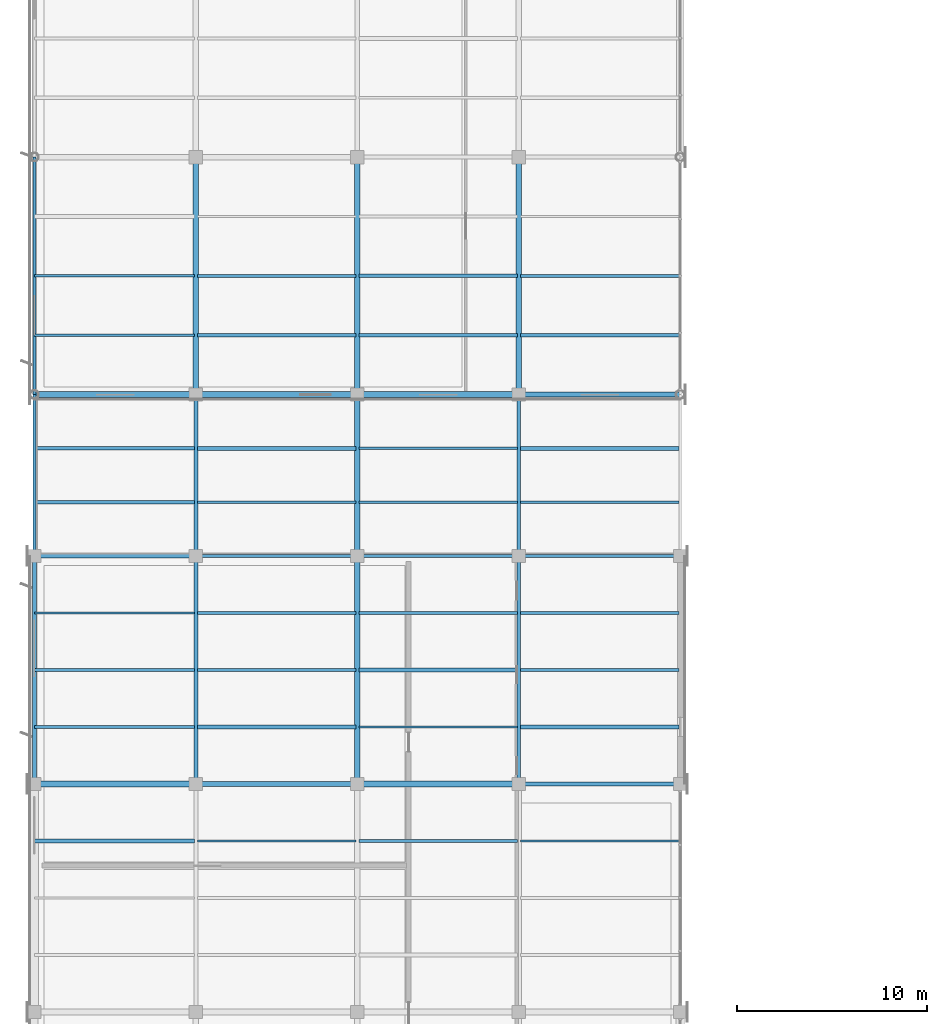
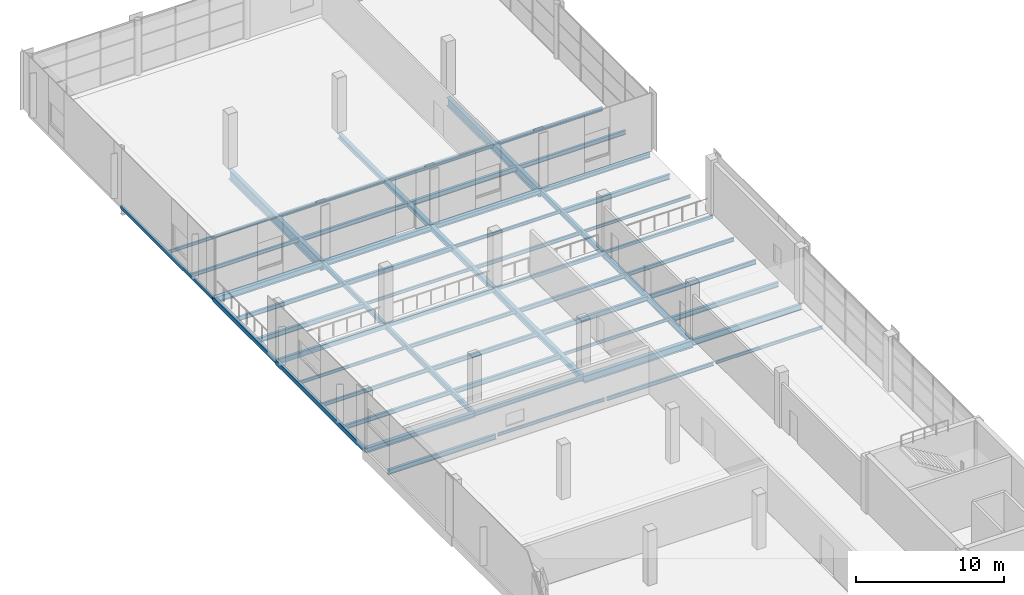
# One storey, part 35 of 101: 56 beams.
"""IFC4 building model written with IfcOpenShell, lengths in metres."""

from ifc_helpers import new_model, si_unit, direction, frame, origin, origin_2d, place, context, subcontext, project, spatial, hollow_rectangle, i_section, extrude, material, material_profile, profile_set, type_object, element, save


model = new_model("IFC4")

# Units and contexts
model_context = context("Model", 3, precision=1e-05, world=origin(), true_north=direction((0.0, 1.0)))
body_context = subcontext(model_context, "Body", "Model", "MODEL_VIEW")
ifc_project = project(units=[si_unit("LENGTHUNIT", "METRE"), si_unit("AREAUNIT", "SQUARE_METRE"), si_unit("VOLUMEUNIT", "CUBIC_METRE"), si_unit("PLANEANGLEUNIT", "RADIAN"), si_unit("MASSUNIT", "GRAM", prefix="KILO")], contexts=[model_context])

# Site, building, storey
site_placement = place(None, origin())
site = spatial("IfcSite", under=ifc_project, at=site_placement, CompositionType="ELEMENT")
building_placement = place(site_placement, origin())
building = spatial("IfcBuilding", under=site, at=building_placement, Name="Solvikara Media Centre", CompositionType="ELEMENT")
storey_placement = place(building_placement, frame((0.0, 0.0, 10.199951171875)))
storey = spatial("IfcBuildingStorey", under=building, at=storey_placement, Name="L02", CompositionType="ELEMENT", Elevation=10.199951171875)

# Beams
ifc_material = material(Name="Steel S355JR", Category="steel")
ifc_material_profile_1 = material_profile(ifc_material, i_section(OverallWidth=0.300048828125, OverallDepth=0.800048828125, WebThickness=0.013916015625, FlangeThickness=0.02587890625, at=origin_2d()), Name="WF 800x300x14x26")
ifc_profile_set_1 = profile_set([ifc_material_profile_1], Name="Steel S355JR")
beam_type_1 = type_object("IfcBeamType", Name="BM-16", PredefinedType="BEAM", material=ifc_profile_set_1)
beam_1_placement = place(storey_placement, frame((8.5, 89.0, -0.661865234375), z_axis=(0.0, 1.0, 0.0), x_axis=(-1.0, 0.0, 0.0)))
element("IfcBeam", 1, at=beam_1_placement, inside=storey, type_object=beam_type_1, Name="B-L02-Y0925", PredefinedType="BEAM", context=body_context, shape_type="SweptSolid", body=[
    extrude(i_section(OverallWidth=0.300048828125, OverallDepth=0.800048828125, WebThickness=0.013916015625, FlangeThickness=0.02587890625, at=origin_2d()), origin(), (0.0, 0.0, 1.0), 12.5),
])
ifc_material_profile_2 = material_profile(ifc_material, i_section(OverallWidth=0.199951171875, OverallDepth=0.5, WebThickness=0.010009765625, FlangeThickness=0.01611328125, at=origin_2d()), Name="WF 500x200x10x16")
ifc_profile_set_2 = profile_set([ifc_material_profile_2], Name="Steel S355JR")
beam_type_2 = type_object("IfcBeamType", Name="BM-19", PredefinedType="BEAM", material=ifc_profile_set_2)
beam_2_placement = place(storey_placement, frame((25.5, 68.5, -0.511962890625), z_axis=(0.0, 1.0, 0.0), x_axis=(-1.0, 0.0, 0.0)))
element("IfcBeam", 2, at=beam_2_placement, inside=storey, type_object=beam_type_2, Name="B-L02-Y0941", PredefinedType="BEAM", context=body_context, shape_type="SweptSolid", body=[
    extrude(i_section(OverallWidth=0.199951171875, OverallDepth=0.5, WebThickness=0.010009765625, FlangeThickness=0.01611328125, at=origin_2d()), origin(), (0.0, 0.0, 1.0), 12.0),
])
ifc_material_profile_3 = material_profile(ifc_material, i_section(OverallWidth=0.199951171875, OverallDepth=0.449951171875, WebThickness=0.009033203125, FlangeThickness=0.013916015625, at=origin_2d()), Name="WF 450x200x9x14")
ifc_profile_set_3 = profile_set([ifc_material_profile_3], Name="Steel S355JR")
beam_type_3 = type_object("IfcBeamType", Name="BM-20", PredefinedType="BEAM", material=ifc_profile_set_3)
beam_3_placement = place(storey_placement, frame((25.5, 80.5, -0.4970703125), z_axis=(0.0, 1.0, 0.0), x_axis=(-1.0, 0.0, 0.0)))
element("IfcBeam", 3, at=beam_3_placement, inside=storey, type_object=beam_type_3, Name="B-L02-Y0942", PredefinedType="BEAM", context=body_context, shape_type="SweptSolid", body=[
    extrude(i_section(OverallWidth=0.199951171875, OverallDepth=0.449951171875, WebThickness=0.009033203125, FlangeThickness=0.013916015625, at=origin_2d()), origin(), (0.0, 0.0, 1.0), 8.5),
])
ifc_material_profile_4 = material_profile(ifc_material, i_section(OverallWidth=0.199951171875, OverallDepth=0.39990234375, WebThickness=0.008056640625, FlangeThickness=0.012939453125, at=origin_2d()), Name="WF 400x200x8x13")
ifc_profile_set_4 = profile_set([ifc_material_profile_4], Name="Steel S355JR")
beam_type_4 = type_object("IfcBeamType", Name="BM-21", PredefinedType="JOIST", material=ifc_profile_set_4)
beam_4_placement = place(storey_placement, frame((0.0, 65.5, -0.4619140625), z_axis=(1.0, 0.0, 0.0), x_axis=(0.0, 1.0, 0.0)))
element("IfcBeam", 4, at=beam_4_placement, inside=storey, type_object=beam_type_4, Name="J-L02-1017", PredefinedType="JOIST", context=body_context, shape_type="SweptSolid", body=[
    extrude(i_section(OverallWidth=0.199951171875, OverallDepth=0.39990234375, WebThickness=0.008056640625, FlangeThickness=0.012939453125, at=origin_2d()), origin(), (0.0, 0.0, 1.0), 8.422119140625),
])
for number, where, z_axis, x_axis, name in (
    (5, (8.577880859375, 71.5, -0.4619140625), (1.0, 0.0, 0.0), (0.0, 1.0, 0.0), "J-L02-1041"),
    (6, (17.077880859375, 74.5, -0.4619140625), (1.0, 0.0, 0.0), (0.0, 1.0, 0.0), "J-L02-1065"),
    (7, (25.577880859375, 86.1669921875, -0.471923828125), (1.0, 0.0, 0.0), (0.0, 1.0, 0.0), "J-L02-1089"),
):
    element("IfcBeam", number, at=place(storey_placement, frame(where, z_axis=z_axis, x_axis=x_axis)), inside=storey, type_object=beam_type_4, Name=name, PredefinedType="JOIST", context=body_context, shape_type="SweptSolid", body=[
        extrude(i_section(OverallWidth=0.199951171875, OverallDepth=0.39990234375, WebThickness=0.008056640625, FlangeThickness=0.012939453125, at=origin_2d()), origin(), (0.0, 0.0, 1.0), 8.34423828125),
    ])
ifc_material_profile_5 = material_profile(ifc_material, i_section(OverallWidth=0.175048828125, OverallDepth=0.35009765625, WebThickness=0.007080078125, FlangeThickness=0.010986328125, at=origin_2d()), Name="WF 350x175x7x11")
ifc_profile_set_5 = profile_set([ifc_material_profile_5], Name="Steel S355JR")
beam_type_5 = type_object("IfcBeamType", Name="BM-22", PredefinedType="JOIST", material=ifc_profile_set_5)
beam_5_placement = place(storey_placement, frame((0.0, 71.5, -0.43701171875), z_axis=(1.0, 0.0, 0.0), x_axis=(0.0, 1.0, 0.0)))
element("IfcBeam", 8, at=beam_5_placement, inside=storey, type_object=beam_type_5, Name="J-L02-1018", PredefinedType="JOIST", context=body_context, shape_type="SweptSolid", body=[
    extrude(i_section(OverallWidth=0.175048828125, OverallDepth=0.35009765625, WebThickness=0.007080078125, FlangeThickness=0.010986328125, at=origin_2d()), origin(), (0.0, 0.0, 1.0), 8.422119140625),
])
for number, where, z_axis, x_axis, name in (
    (9, (8.577880859375, 74.5, -0.43701171875), (1.0, 0.0, 0.0), (0.0, 1.0, 0.0), "J-L02-1042"),
    (10, (17.077880859375, 77.5, -0.43701171875), (1.0, 0.0, 0.0), (0.0, 1.0, 0.0), "J-L02-1066"),
    (11, (25.577880859375, 92.125, -0.43701171875), (1.0, 0.0, 0.0), (0.0, 1.0, 0.0), "J-L02-1090"),
):
    element("IfcBeam", number, at=place(storey_placement, frame(where, z_axis=z_axis, x_axis=x_axis)), inside=storey, type_object=beam_type_5, Name=name, PredefinedType="JOIST", context=body_context, shape_type="SweptSolid", body=[
        extrude(i_section(OverallWidth=0.175048828125, OverallDepth=0.35009765625, WebThickness=0.007080078125, FlangeThickness=0.010986328125, at=origin_2d()), origin(), (0.0, 0.0, 1.0), 8.34423828125),
    ])
ifc_material_profile_6 = material_profile(ifc_material, i_section(OverallWidth=0.14990234375, OverallDepth=0.300048828125, WebThickness=0.006591796875, FlangeThickness=0.009033203125, at=origin_2d()), Name="WF 300x150x6.5x9")
ifc_profile_set_6 = profile_set([ifc_material_profile_6], Name="Steel S355JR")
beam_type_6 = type_object("IfcBeamType", Name="BM-23", PredefinedType="JOIST", material=ifc_profile_set_6)
beam_6_placement = place(storey_placement, frame((0.0, 74.5, -0.411865234375), z_axis=(1.0, 0.0, 0.0), x_axis=(0.0, 1.0, 0.0)))
element("IfcBeam", 12, at=beam_6_placement, inside=storey, type_object=beam_type_6, Name="J-L02-1019", PredefinedType="JOIST", context=body_context, shape_type="SweptSolid", body=[
    extrude(i_section(OverallWidth=0.14990234375, OverallDepth=0.300048828125, WebThickness=0.006591796875, FlangeThickness=0.009033203125, at=origin_2d()), origin(), (0.0, 0.0, 1.0), 8.422119140625),
])
for number, where, z_axis, x_axis, name in (
    (13, (8.577880859375, 77.5, -0.411865234375), (1.0, 0.0, 0.0), (0.0, 1.0, 0.0), "J-L02-1043"),
    (14, (17.077880859375, 83.3330078125, -0.421875), (1.0, 0.0, 0.0), (0.0, 1.0, 0.0), "J-L02-1067"),
    (15, (25.577880859375, 95.25, -0.411865234375), (1.0, 0.0, 0.0), (0.0, 1.0, 0.0), "J-L02-1091"),
):
    element("IfcBeam", number, at=place(storey_placement, frame(where, z_axis=z_axis, x_axis=x_axis)), inside=storey, type_object=beam_type_6, Name=name, PredefinedType="JOIST", context=body_context, shape_type="SweptSolid", body=[
        extrude(i_section(OverallWidth=0.14990234375, OverallDepth=0.300048828125, WebThickness=0.006591796875, FlangeThickness=0.009033203125, at=origin_2d()), origin(), (0.0, 0.0, 1.0), 8.34423828125),
    ])
ifc_material_profile_7 = material_profile(ifc_material, i_section(OverallWidth=0.125, OverallDepth=0.25, WebThickness=0.006103515625, FlangeThickness=0.009033203125, at=origin_2d()), Name="WF 250x125x6x9")
ifc_profile_set_7 = profile_set([ifc_material_profile_7], Name="Steel S355JR")
beam_type_7 = type_object("IfcBeamType", Name="BM-24", PredefinedType="JOIST", material=ifc_profile_set_7)
beam_7_placement = place(storey_placement, frame((0.0, 77.5, -0.386962890625), z_axis=(1.0, 0.0, 0.0), x_axis=(0.0, 1.0, 0.0)))
element("IfcBeam", 16, at=beam_7_placement, inside=storey, type_object=beam_type_7, Name="J-L02-1020", PredefinedType="JOIST", context=body_context, shape_type="SweptSolid", body=[
    extrude(i_section(OverallWidth=0.125, OverallDepth=0.25, WebThickness=0.006103515625, FlangeThickness=0.009033203125, at=origin_2d()), origin(), (0.0, 0.0, 1.0), 8.422119140625),
])
for number, where, z_axis, x_axis, name in (
    (17, (8.577880859375, 83.3330078125, -0.39697265625), (1.0, 0.0, 0.0), (0.0, 1.0, 0.0), "J-L02-1044"),
    (18, (17.077880859375, 86.1669921875, -0.39697265625), (1.0, 0.0, 0.0), (0.0, 1.0, 0.0), "J-L02-1068"),
    (19, (25.577880859375, 65.5, -0.386962890625), (1.0, 0.0, 0.0), (0.0, 1.0, 0.0), "J-L02-1084"),
):
    element("IfcBeam", number, at=place(storey_placement, frame(where, z_axis=z_axis, x_axis=x_axis)), inside=storey, type_object=beam_type_7, Name=name, PredefinedType="JOIST", context=body_context, shape_type="SweptSolid", body=[
        extrude(i_section(OverallWidth=0.125, OverallDepth=0.25, WebThickness=0.006103515625, FlangeThickness=0.009033203125, at=origin_2d()), origin(), (0.0, 0.0, 1.0), 8.34423828125),
    ])
ifc_material_profile_8 = material_profile(ifc_material, i_section(OverallWidth=0.300048828125, OverallDepth=0.69189453125, WebThickness=0.012939453125, FlangeThickness=0.02001953125, at=origin_2d()), Name="H 692x300x13x20")
ifc_profile_set_8 = profile_set([ifc_material_profile_8], Name="Steel S355JR")
beam_type_8 = type_object("IfcBeamType", Name="BM-25", PredefinedType="BEAM", material=ifc_profile_set_8)
beam_8_placement = place(storey_placement, frame((25.5, 89.0, -0.60791015625), z_axis=(0.0, 1.0, 0.0), x_axis=(-1.0, 0.0, 0.0)))
element("IfcBeam", 20, at=beam_8_placement, inside=storey, type_object=beam_type_8, Name="B-L02-Y0943", PredefinedType="BEAM", context=body_context, shape_type="SweptSolid", body=[
    extrude(i_section(OverallWidth=0.300048828125, OverallDepth=0.69189453125, WebThickness=0.012939453125, FlangeThickness=0.02001953125, at=origin_2d()), origin(), (0.0, 0.0, 1.0), 12.5),
])
ifc_material_profile_9 = material_profile(ifc_material, i_section(OverallWidth=0.300048828125, OverallDepth=0.488037109375, WebThickness=0.010986328125, FlangeThickness=0.01806640625, at=origin_2d()), Name="H 488x300x11x18")
ifc_profile_set_9 = profile_set([ifc_material_profile_9], Name="Steel S355JR")
beam_type_9 = type_object("IfcBeamType", Name="BM-27", PredefinedType="BEAM", material=ifc_profile_set_9)
beam_9_placement = place(storey_placement, frame((0.0, 89.0, -0.515869140625), z_axis=(1.0, 0.0, 0.0), x_axis=(0.0, 1.0, 0.0)))
element("IfcBeam", 21, at=beam_9_placement, inside=storey, type_object=beam_type_9, Name="B-L02-X0889", PredefinedType="BEAM", context=body_context, shape_type="SweptSolid", body=[
    extrude(i_section(OverallWidth=0.300048828125, OverallDepth=0.488037109375, WebThickness=0.010986328125, FlangeThickness=0.01806640625, at=origin_2d()), origin(), (0.0, 0.0, 1.0), 8.5),
])
beam_10_placement = place(storey_placement, frame((17.0, 68.5, -0.505859375), z_axis=(0.0, 1.0, 0.0), x_axis=(-1.0, 0.0, 0.0)))
element("IfcBeam", 22, at=beam_10_placement, inside=storey, type_object=beam_type_9, Name="B-L02-Y0931", PredefinedType="BEAM", context=body_context, shape_type="SweptSolid", body=[
    extrude(i_section(OverallWidth=0.300048828125, OverallDepth=0.488037109375, WebThickness=0.010986328125, FlangeThickness=0.01806640625, at=origin_2d()), origin(), (0.0, 0.0, 1.0), 12.0),
])
ifc_material_profile_10 = material_profile(ifc_material, i_section(OverallWidth=0.300048828125, OverallDepth=0.43994140625, WebThickness=0.010986328125, FlangeThickness=0.01806640625, at=origin_2d()), Name="H 440x300x11x18")
ifc_profile_set_10 = profile_set([ifc_material_profile_10], Name="Steel S355JR")
beam_type_10 = type_object("IfcBeamType", Name="BM-28", PredefinedType="BEAM", material=ifc_profile_set_10)
for number, where, z_axis, x_axis, name in (
    (23, (8.5, 89.0, -0.491943359375), (1.0, 0.0, 0.0), (0.0, 1.0, 0.0), "B-L02-X0890"),
    (24, (17.0, 80.5, -0.491943359375), (0.0, 1.0, 0.0), (-1.0, 0.0, 0.0), "B-L02-Y0932"),
):
    element("IfcBeam", number, at=place(storey_placement, frame(where, z_axis=z_axis, x_axis=x_axis)), inside=storey, type_object=beam_type_10, Name=name, PredefinedType="BEAM", context=body_context, shape_type="SweptSolid", body=[
        extrude(i_section(OverallWidth=0.300048828125, OverallDepth=0.43994140625, WebThickness=0.010986328125, FlangeThickness=0.01806640625, at=origin_2d()), origin(), (0.0, 0.0, 1.0), 8.5),
    ])
ifc_material_profile_11 = material_profile(ifc_material, i_section(OverallWidth=0.300048828125, OverallDepth=0.389892578125, WebThickness=0.010009765625, FlangeThickness=0.01611328125, at=origin_2d()), Name="H 390x300x10x16")
ifc_profile_set_11 = profile_set([ifc_material_profile_11], Name="Steel S355JR")
beam_type_11 = type_object("IfcBeamType", Name="BM-29", PredefinedType="BEAM", material=ifc_profile_set_11)
for number, where, z_axis, x_axis, name in (
    (25, (0.0, 68.5, -0.45703125), (1.0, 0.0, 0.0), (0.0, 1.0, 0.0), "B-L02-X0877"),
    (26, (17.0, 89.0, -0.467041015625), (1.0, 0.0, 0.0), (0.0, 1.0, 0.0), "B-L02-X0891"),
):
    element("IfcBeam", number, at=place(storey_placement, frame(where, z_axis=z_axis, x_axis=x_axis)), inside=storey, type_object=beam_type_11, Name=name, PredefinedType="BEAM", context=body_context, shape_type="SweptSolid", body=[
        extrude(i_section(OverallWidth=0.300048828125, OverallDepth=0.389892578125, WebThickness=0.010009765625, FlangeThickness=0.01611328125, at=origin_2d()), origin(), (0.0, 0.0, 1.0), 8.5),
    ])
beam_11_placement = place(storey_placement, frame((17.0, 89.0, -0.45703125), z_axis=(0.0, 1.0, 0.0), x_axis=(-1.0, 0.0, 0.0)))
element("IfcBeam", 27, at=beam_11_placement, inside=storey, type_object=beam_type_11, Name="B-L02-Y0933", PredefinedType="BEAM", context=body_context, shape_type="SweptSolid", body=[
    extrude(i_section(OverallWidth=0.300048828125, OverallDepth=0.389892578125, WebThickness=0.010009765625, FlangeThickness=0.01611328125, at=origin_2d()), origin(), (0.0, 0.0, 1.0), 12.5),
])
ifc_material_profile_12 = material_profile(ifc_material, i_section(OverallWidth=0.25, OverallDepth=0.340087890625, WebThickness=0.009033203125, FlangeThickness=0.013916015625, at=origin_2d()), Name="H 340x250x9x14")
ifc_profile_set_12 = profile_set([ifc_material_profile_12], Name="Steel S355JR")
beam_type_12 = type_object("IfcBeamType", Name="BM-30", PredefinedType="BEAM", material=ifc_profile_set_12)
for number, where, z_axis, x_axis, name in (
    (28, (8.5, 68.5, -0.431884765625), (1.0, 0.0, 0.0), (0.0, 1.0, 0.0), "B-L02-X0878"),
    (29, (25.5, 89.0, -0.44189453125), (1.0, 0.0, 0.0), (0.0, 1.0, 0.0), "B-L02-X0892"),
):
    element("IfcBeam", number, at=place(storey_placement, frame(where, z_axis=z_axis, x_axis=x_axis)), inside=storey, type_object=beam_type_12, Name=name, PredefinedType="BEAM", context=body_context, shape_type="SweptSolid", body=[
        extrude(i_section(OverallWidth=0.25, OverallDepth=0.340087890625, WebThickness=0.009033203125, FlangeThickness=0.013916015625, at=origin_2d()), origin(), (0.0, 0.0, 1.0), 8.5),
    ])
ifc_material_profile_13 = material_profile(ifc_material, hollow_rectangle(XDim=0.199951171875, YDim=0.39990234375, WallThickness=0.011962890625, at=origin_2d()), Name="RHS 400x200x12")
ifc_profile_set_13 = profile_set([ifc_material_profile_13], Name="Steel S355JR")
beam_type_13 = type_object("IfcBeamType", Name="BM-33", PredefinedType="SPANDREL", material=ifc_profile_set_13)
beam_12_placement = place(storey_placement, frame((0.0, 80.5, -0.471923828125), z_axis=(1.0, 0.0, 0.0), x_axis=(0.0, 1.0, 0.0)))
element("IfcBeam", 30, at=beam_12_placement, inside=storey, type_object=beam_type_13, Name="B-L02-X0885", PredefinedType="SPANDREL", context=body_context, shape_type="SweptSolid", body=[
    extrude(hollow_rectangle(XDim=0.199951171875, YDim=0.39990234375, WallThickness=0.011962890625, at=origin_2d()), origin(), (0.0, 0.0, 1.0), 8.5),
])
beam_13_placement = place(storey_placement, frame((0.0, 68.5, -0.4619140625), z_axis=(0.0, 1.0, 0.0), x_axis=(-1.0, 0.0, 0.0)))
element("IfcBeam", 31, at=beam_13_placement, inside=storey, type_object=beam_type_13, Name="B-L02-Y0915", PredefinedType="SPANDREL", context=body_context, shape_type="SweptSolid", body=[
    extrude(hollow_rectangle(XDim=0.199951171875, YDim=0.39990234375, WallThickness=0.011962890625, at=origin_2d()), origin(), (0.0, 0.0, 1.0), 12.0),
])
ifc_material_profile_14 = material_profile(ifc_material, hollow_rectangle(XDim=0.175048828125, YDim=0.35009765625, WallThickness=0.010009765625, at=origin_2d()), Name="RHS 350x175x10")
ifc_profile_set_14 = profile_set([ifc_material_profile_14], Name="Steel S355JR")
beam_type_14 = type_object("IfcBeamType", Name="BM-34", PredefinedType="SPANDREL", material=ifc_profile_set_14)
for number, where, z_axis, x_axis, name in (
    (32, (8.5, 80.5, -0.447021484375), (1.0, 0.0, 0.0), (0.0, 1.0, 0.0), "B-L02-X0886"),
    (33, (0.0, 80.5, -0.447021484375), (0.0, 1.0, 0.0), (-1.0, 0.0, 0.0), "B-L02-Y0916"),
):
    element("IfcBeam", number, at=place(storey_placement, frame(where, z_axis=z_axis, x_axis=x_axis)), inside=storey, type_object=beam_type_14, Name=name, PredefinedType="SPANDREL", context=body_context, shape_type="SweptSolid", body=[
        extrude(hollow_rectangle(XDim=0.175048828125, YDim=0.35009765625, WallThickness=0.010009765625, at=origin_2d()), origin(), (0.0, 0.0, 1.0), 8.5),
    ])
ifc_material_profile_15 = material_profile(ifc_material, hollow_rectangle(XDim=0.14990234375, YDim=0.300048828125, WallThickness=0.010009765625, at=origin_2d()), Name="RHS 300x150x10")
ifc_profile_set_15 = profile_set([ifc_material_profile_15], Name="Steel S355JR")
beam_type_15 = type_object("IfcBeamType", Name="BM-35", PredefinedType="BEAM", material=ifc_profile_set_15)
beam_14_placement = place(storey_placement, frame((17.0, 80.5, -0.421875), z_axis=(1.0, 0.0, 0.0), x_axis=(0.0, 1.0, 0.0)))
element("IfcBeam", 34, at=beam_14_placement, inside=storey, type_object=beam_type_15, Name="B-L02-X0887", PredefinedType="BEAM", context=body_context, shape_type="SweptSolid", body=[
    extrude(hollow_rectangle(XDim=0.14990234375, YDim=0.300048828125, WallThickness=0.010009765625, at=origin_2d()), origin(), (0.0, 0.0, 1.0), 8.5),
])
beam_15_placement = place(storey_placement, frame((0.0, 89.0, -0.411865234375), z_axis=(0.0, 1.0, 0.0), x_axis=(-1.0, 0.0, 0.0)))
element("IfcBeam", 35, at=beam_15_placement, inside=storey, type_object=beam_type_15, Name="B-L02-Y0917", PredefinedType="BEAM", context=body_context, shape_type="SweptSolid", body=[
    extrude(hollow_rectangle(XDim=0.14990234375, YDim=0.300048828125, WallThickness=0.010009765625, at=origin_2d()), origin(), (0.0, 0.0, 1.0), 12.5),
])
ifc_material_profile_16 = material_profile(ifc_material, hollow_rectangle(XDim=0.14990234375, YDim=0.25, WallThickness=0.008056640625, at=origin_2d()), Name="RHS 250x150x8")
ifc_profile_set_16 = profile_set([ifc_material_profile_16], Name="Steel S355JR")
beam_type_16 = type_object("IfcBeamType", Name="BM-36", PredefinedType="JOIST", material=ifc_profile_set_16)
beam_16_placement = place(storey_placement, frame((25.5, 80.5, -0.39697265625), z_axis=(1.0, 0.0, 0.0), x_axis=(0.0, 1.0, 0.0)))
element("IfcBeam", 36, at=beam_16_placement, inside=storey, type_object=beam_type_16, Name="B-L02-X0888", PredefinedType="JOIST", context=body_context, shape_type="SweptSolid", body=[
    extrude(hollow_rectangle(XDim=0.14990234375, YDim=0.25, WallThickness=0.008056640625, at=origin_2d()), origin(), (0.0, 0.0, 1.0), 8.5),
])
ifc_material_profile_17 = material_profile(ifc_material, i_section(OverallWidth=0.198974609375, OverallDepth=0.39599609375, WebThickness=0.007080078125, FlangeThickness=0.010986328125, at=origin_2d()), Name="WF 396x199x7x11")
ifc_profile_set_17 = profile_set([ifc_material_profile_17], Name="Steel S355JR")
beam_type_17 = type_object("IfcBeamType", Name="BM-37", PredefinedType="JOIST", material=ifc_profile_set_17)
beam_17_placement = place(storey_placement, frame((0.0, 83.3330078125, -0.469970703125), z_axis=(1.0, 0.0, 0.0), x_axis=(0.0, 1.0, 0.0)))
element("IfcBeam", 37, at=beam_17_placement, inside=storey, type_object=beam_type_17, Name="J-L02-1021", PredefinedType="JOIST", context=body_context, shape_type="SweptSolid", body=[
    extrude(i_section(OverallWidth=0.198974609375, OverallDepth=0.39599609375, WebThickness=0.007080078125, FlangeThickness=0.010986328125, at=origin_2d()), origin(), (0.0, 0.0, 1.0), 8.422119140625),
])
for number, where, z_axis, x_axis, name in (
    (38, (8.577880859375, 86.1669921875, -0.469970703125), (1.0, 0.0, 0.0), (0.0, 1.0, 0.0), "J-L02-1045"),
    (39, (17.077880859375, 92.125, -0.4599609375), (1.0, 0.0, 0.0), (0.0, 1.0, 0.0), "J-L02-1069"),
    (40, (25.577880859375, 71.5, -0.4599609375), (1.0, 0.0, 0.0), (0.0, 1.0, 0.0), "J-L02-1085"),
):
    element("IfcBeam", number, at=place(storey_placement, frame(where, z_axis=z_axis, x_axis=x_axis)), inside=storey, type_object=beam_type_17, Name=name, PredefinedType="JOIST", context=body_context, shape_type="SweptSolid", body=[
        extrude(i_section(OverallWidth=0.198974609375, OverallDepth=0.39599609375, WebThickness=0.007080078125, FlangeThickness=0.010986328125, at=origin_2d()), origin(), (0.0, 0.0, 1.0), 8.34423828125),
    ])
ifc_material_profile_18 = material_profile(ifc_material, i_section(OverallWidth=0.174072265625, OverallDepth=0.345947265625, WebThickness=0.006103515625, FlangeThickness=0.009033203125, at=origin_2d()), Name="WF 346x174x6x9")
ifc_profile_set_18 = profile_set([ifc_material_profile_18], Name="Steel S355JR")
beam_type_18 = type_object("IfcBeamType", Name="BM-38", PredefinedType="JOIST", material=ifc_profile_set_18)
beam_18_placement = place(storey_placement, frame((0.0, 86.1669921875, -0.445068359375), z_axis=(1.0, 0.0, 0.0), x_axis=(0.0, 1.0, 0.0)))
element("IfcBeam", 41, at=beam_18_placement, inside=storey, type_object=beam_type_18, Name="J-L02-1022", PredefinedType="JOIST", context=body_context, shape_type="SweptSolid", body=[
    extrude(i_section(OverallWidth=0.174072265625, OverallDepth=0.345947265625, WebThickness=0.006103515625, FlangeThickness=0.009033203125, at=origin_2d()), origin(), (0.0, 0.0, 1.0), 8.422119140625),
])
for number, where, z_axis, x_axis, name in (
    (42, (8.577880859375, 92.125, -0.43505859375), (1.0, 0.0, 0.0), (0.0, 1.0, 0.0), "J-L02-1046"),
    (43, (17.077880859375, 95.25, -0.43505859375), (1.0, 0.0, 0.0), (0.0, 1.0, 0.0), "J-L02-1070"),
    (44, (25.577880859375, 74.5, -0.43505859375), (1.0, 0.0, 0.0), (0.0, 1.0, 0.0), "J-L02-1086"),
):
    element("IfcBeam", number, at=place(storey_placement, frame(where, z_axis=z_axis, x_axis=x_axis)), inside=storey, type_object=beam_type_18, Name=name, PredefinedType="JOIST", context=body_context, shape_type="SweptSolid", body=[
        extrude(i_section(OverallWidth=0.174072265625, OverallDepth=0.345947265625, WebThickness=0.006103515625, FlangeThickness=0.009033203125, at=origin_2d()), origin(), (0.0, 0.0, 1.0), 8.34423828125),
    ])
ifc_material_profile_19 = material_profile(ifc_material, i_section(OverallWidth=0.14892578125, OverallDepth=0.298095703125, WebThickness=0.005615234375, FlangeThickness=0.008056640625, at=origin_2d()), Name="WF 298x149x5.5x8")
ifc_profile_set_19 = profile_set([ifc_material_profile_19], Name="Steel S355JR")
beam_type_19 = type_object("IfcBeamType", Name="BM-39", PredefinedType="JOIST", material=ifc_profile_set_19)
beam_19_placement = place(storey_placement, frame((0.0, 92.125, -0.410888671875), z_axis=(1.0, 0.0, 0.0), x_axis=(0.0, 1.0, 0.0)))
element("IfcBeam", 45, at=beam_19_placement, inside=storey, type_object=beam_type_19, Name="J-L02-1023", PredefinedType="JOIST", context=body_context, shape_type="SweptSolid", body=[
    extrude(i_section(OverallWidth=0.14892578125, OverallDepth=0.298095703125, WebThickness=0.005615234375, FlangeThickness=0.008056640625, at=origin_2d()), origin(), (0.0, 0.0, 1.0), 8.422119140625),
])
for number, where, z_axis, x_axis, name in (
    (46, (8.577880859375, 95.25, -0.410888671875), (1.0, 0.0, 0.0), (0.0, 1.0, 0.0), "J-L02-1047"),
    (47, (17.077880859375, 65.5, -0.410888671875), (1.0, 0.0, 0.0), (0.0, 1.0, 0.0), "J-L02-1063"),
    (48, (25.577880859375, 77.5, -0.410888671875), (1.0, 0.0, 0.0), (0.0, 1.0, 0.0), "J-L02-1087"),
):
    element("IfcBeam", number, at=place(storey_placement, frame(where, z_axis=z_axis, x_axis=x_axis)), inside=storey, type_object=beam_type_19, Name=name, PredefinedType="JOIST", context=body_context, shape_type="SweptSolid", body=[
        extrude(i_section(OverallWidth=0.14892578125, OverallDepth=0.298095703125, WebThickness=0.005615234375, FlangeThickness=0.008056640625, at=origin_2d()), origin(), (0.0, 0.0, 1.0), 8.34423828125),
    ])
ifc_material_profile_20 = material_profile(ifc_material, i_section(OverallWidth=0.1240234375, OverallDepth=0.248046875, WebThickness=0.0048828125, FlangeThickness=0.008056640625, at=origin_2d()), Name="WF 248x124x5x8")
ifc_profile_set_20 = profile_set([ifc_material_profile_20], Name="Steel S355JR")
beam_type_20 = type_object("IfcBeamType", Name="BM-40", PredefinedType="JOIST", material=ifc_profile_set_20)
beam_20_placement = place(storey_placement, frame((0.0, 95.25, -0.385986328125), z_axis=(1.0, 0.0, 0.0), x_axis=(0.0, 1.0, 0.0)))
element("IfcBeam", 49, at=beam_20_placement, inside=storey, type_object=beam_type_20, Name="J-L02-1024", PredefinedType="JOIST", context=body_context, shape_type="SweptSolid", body=[
    extrude(i_section(OverallWidth=0.1240234375, OverallDepth=0.248046875, WebThickness=0.0048828125, FlangeThickness=0.008056640625, at=origin_2d()), origin(), (0.0, 0.0, 1.0), 8.422119140625),
])
for number, where, z_axis, x_axis, name in (
    (50, (8.577880859375, 65.5, -0.385986328125), (1.0, 0.0, 0.0), (0.0, 1.0, 0.0), "J-L02-1040"),
    (51, (17.077880859375, 71.5, -0.385986328125), (1.0, 0.0, 0.0), (0.0, 1.0, 0.0), "J-L02-1064"),
    (52, (25.577880859375, 83.3330078125, -0.39599609375), (1.0, 0.0, 0.0), (0.0, 1.0, 0.0), "J-L02-1088"),
):
    element("IfcBeam", number, at=place(storey_placement, frame(where, z_axis=z_axis, x_axis=x_axis)), inside=storey, type_object=beam_type_20, Name=name, PredefinedType="JOIST", context=body_context, shape_type="SweptSolid", body=[
        extrude(i_section(OverallWidth=0.1240234375, OverallDepth=0.248046875, WebThickness=0.0048828125, FlangeThickness=0.008056640625, at=origin_2d()), origin(), (0.0, 0.0, 1.0), 8.34423828125),
    ])
ifc_material_profile_21 = material_profile(ifc_material, i_section(OverallWidth=0.302001953125, OverallDepth=0.593994140625, WebThickness=0.013916015625, FlangeThickness=0.02294921875, at=origin_2d()), Name="H 594x302x14x23")
ifc_profile_set_21 = profile_set([ifc_material_profile_21], Name="Steel S355JR")
beam_type_21 = type_object("IfcBeamType", Name="BM-41", PredefinedType="BEAM", material=ifc_profile_set_21)
beam_21_placement = place(storey_placement, frame((17.0, 68.5, -0.558837890625), z_axis=(1.0, 0.0, 0.0), x_axis=(0.0, 1.0, 0.0)))
element("IfcBeam", 53, at=beam_21_placement, inside=storey, type_object=beam_type_21, Name="B-L02-X0879", PredefinedType="BEAM", context=body_context, shape_type="SweptSolid", body=[
    extrude(i_section(OverallWidth=0.302001953125, OverallDepth=0.593994140625, WebThickness=0.013916015625, FlangeThickness=0.02294921875, at=origin_2d()), origin(), (0.0, 0.0, 1.0), 8.5),
])
ifc_material_profile_22 = material_profile(ifc_material, i_section(OverallWidth=0.198974609375, OverallDepth=0.49609375, WebThickness=0.009033203125, FlangeThickness=0.013916015625, at=origin_2d()), Name="H 496x199x9x14")
ifc_profile_set_22 = profile_set([ifc_material_profile_22], Name="Steel S355JR")
beam_type_22 = type_object("IfcBeamType", Name="BM-42", PredefinedType="BEAM", material=ifc_profile_set_22)
beam_22_placement = place(storey_placement, frame((25.5, 68.5, -0.510009765625), z_axis=(1.0, 0.0, 0.0), x_axis=(0.0, 1.0, 0.0)))
element("IfcBeam", 54, at=beam_22_placement, inside=storey, type_object=beam_type_22, Name="B-L02-X0880", PredefinedType="BEAM", context=body_context, shape_type="SweptSolid", body=[
    extrude(i_section(OverallWidth=0.198974609375, OverallDepth=0.49609375, WebThickness=0.009033203125, FlangeThickness=0.013916015625, at=origin_2d()), origin(), (0.0, 0.0, 1.0), 8.5),
])
ifc_material_profile_23 = material_profile(ifc_material, i_section(OverallWidth=0.198974609375, OverallDepth=0.446044921875, WebThickness=0.008056640625, FlangeThickness=0.011962890625, at=origin_2d()), Name="H 446x199x8x12")
ifc_profile_set_23 = profile_set([ifc_material_profile_23], Name="Steel S355JR")
beam_type_23 = type_object("IfcBeamType", Name="BM-43", PredefinedType="BEAM", material=ifc_profile_set_23)
beam_23_placement = place(storey_placement, frame((8.5, 68.5, -0.48486328125), z_axis=(0.0, 1.0, 0.0), x_axis=(-1.0, 0.0, 0.0)))
element("IfcBeam", 55, at=beam_23_placement, inside=storey, type_object=beam_type_23, Name="B-L02-Y0923", PredefinedType="BEAM", context=body_context, shape_type="SweptSolid", body=[
    extrude(i_section(OverallWidth=0.198974609375, OverallDepth=0.446044921875, WebThickness=0.008056640625, FlangeThickness=0.011962890625, at=origin_2d()), origin(), (0.0, 0.0, 1.0), 12.0),
])
ifc_material_profile_24 = material_profile(ifc_material, i_section(OverallWidth=0.198974609375, OverallDepth=0.39599609375, WebThickness=0.007080078125, FlangeThickness=0.010986328125, at=origin_2d()), Name="H 396x199x7x11")
ifc_profile_set_24 = profile_set([ifc_material_profile_24], Name="Steel S355JR")
beam_type_24 = type_object("IfcBeamType", Name="BM-44", PredefinedType="BEAM", material=ifc_profile_set_24)
beam_24_placement = place(storey_placement, frame((8.5, 80.5, -0.469970703125), z_axis=(0.0, 1.0, 0.0), x_axis=(-1.0, 0.0, 0.0)))
element("IfcBeam", 56, at=beam_24_placement, inside=storey, type_object=beam_type_24, Name="B-L02-Y0924", PredefinedType="BEAM", context=body_context, shape_type="SweptSolid", body=[
    extrude(i_section(OverallWidth=0.198974609375, OverallDepth=0.39599609375, WebThickness=0.007080078125, FlangeThickness=0.010986328125, at=origin_2d()), origin(), (0.0, 0.0, 1.0), 8.5),
])

save(model, "model.ifc")
